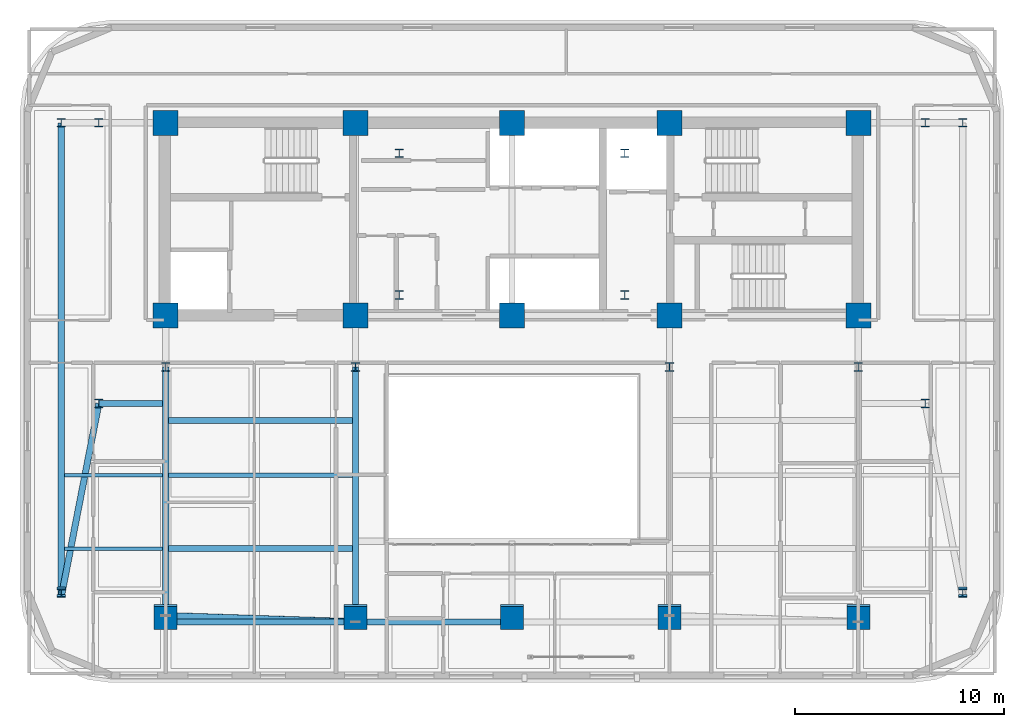
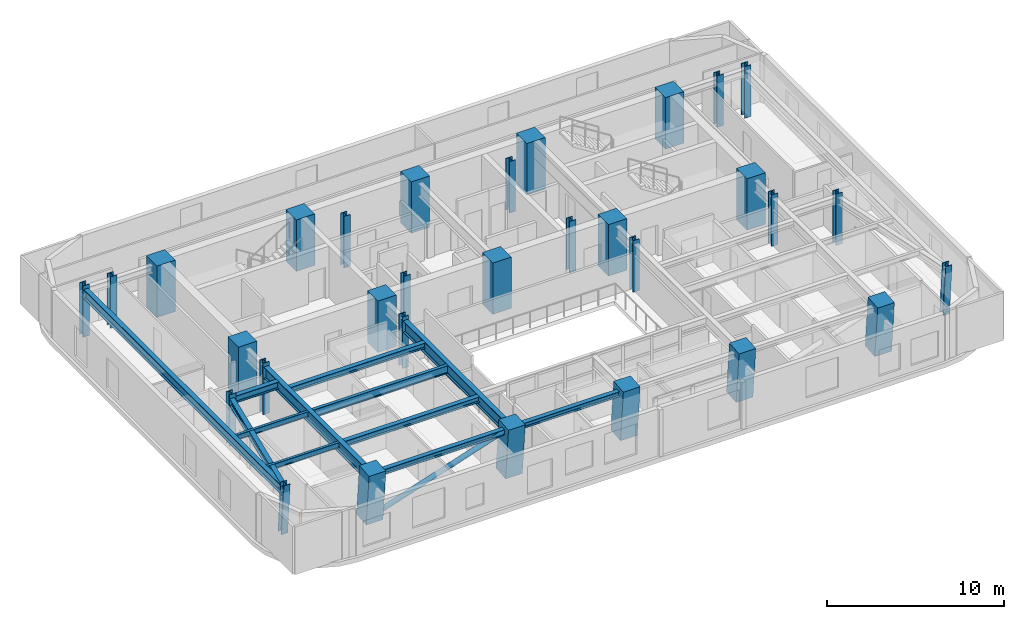
# One storey, part 1 of 13: 31 columns, 12 beams, 1 member.
"""IFC4 building model written with IfcOpenShell, lengths in metres."""

from ifc_helpers import new_model, si_unit, direction, frame, origin, origin_2d, place, context, subcontext, project, spatial, rectangle, hollow_circle, i_section, extrude, material, material_profile, profile_set, type_object, element, save


model = new_model("IFC4")

# Units and contexts
model_context = context("Model", 3, precision=1e-05, world=origin(), true_north=direction((0.0, 1.0)))
body_context = subcontext(model_context, "Body", "Model", "MODEL_VIEW")
ifc_project = project(units=[si_unit("LENGTHUNIT", "METRE"), si_unit("AREAUNIT", "SQUARE_METRE"), si_unit("VOLUMEUNIT", "CUBIC_METRE"), si_unit("PLANEANGLEUNIT", "RADIAN"), si_unit("MASSUNIT", "GRAM", prefix="KILO")], contexts=[model_context])

# Site, building, storey
site_placement = place(None, origin())
site = spatial("IfcSite", under=ifc_project, at=site_placement, CompositionType="ELEMENT")
building_placement = place(site_placement, origin())
building = spatial("IfcBuilding", under=site, at=building_placement, Name="Zarnavel Station Tower", CompositionType="ELEMENT")
storey_placement = place(building_placement, frame((0.0, 0.0, 141.25)))
storey = spatial("IfcBuildingStorey", under=building, at=storey_placement, Name="L38", CompositionType="ELEMENT", Elevation=141.25)

# Columns
ifc_material_1 = material(Name="Steel S355J2", Category="steel")
ifc_material_profile_1 = material_profile(ifc_material_1, i_section(OverallWidth=0.4130859375, OverallDepth=0.4150390625, WebThickness=0.030029296875, FlangeThickness=0.047119140625, FilletRadius=0.014892578125, at=origin_2d()), Name="HD400x347")
ifc_profile_set_1 = profile_set([ifc_material_profile_1], Name="Steel S355J2")
column_type_1 = type_object("IfcColumnType", Name="EC_HD347", PredefinedType="COLUMN", material=ifc_profile_set_1)
column_1_placement = place(storey_placement, frame((7.199951171875, 14.603271484375, 0.0), z_axis=(0.0, -0.079930493943, 0.996800439475), x_axis=(1.0, 0.0, 0.0)))
element("IfcColumn", 1, at=column_1_placement, inside=storey, type_object=column_type_1, Name="L38 Raked Wing Column 1", PredefinedType="COLUMN", context=body_context, shape_type="SweptSolid", body=[
    extrude(i_section(OverallWidth=0.4130859375, OverallDepth=0.4150390625, WebThickness=0.030029296875, FlangeThickness=0.047119140625, FilletRadius=0.014892578125, at=origin_2d()), origin(), (0.0, 0.0, 1.0), 3.5615234375),
])
column_2_placement = place(storey_placement, frame((7.199951171875, 37.050048828125, 0.0), z_axis=(0.0, 0.0, 1.0), x_axis=(1.0, 0.0, 0.0)))
element("IfcColumn", 2, at=column_2_placement, inside=storey, type_object=column_type_1, Name="L38 Outer Wing North Column 1", PredefinedType="COLUMN", context=body_context, shape_type="SweptSolid", body=[
    extrude(i_section(OverallWidth=0.4130859375, OverallDepth=0.4150390625, WebThickness=0.030029296875, FlangeThickness=0.047119140625, FilletRadius=0.014892578125, at=origin_2d()), origin(), (0.0, 0.0, 1.0), 3.550048828125),
])
column_3_placement = place(storey_placement, frame((50.39990234375, 14.603271484375, 0.0), z_axis=(0.0, -0.079930493943, 0.996800439475), x_axis=(1.0, 0.0, 0.0)))
element("IfcColumn", 3, at=column_3_placement, inside=storey, type_object=column_type_1, Name="L38 Raked Wing Column 2", PredefinedType="COLUMN", context=body_context, shape_type="SweptSolid", body=[
    extrude(i_section(OverallWidth=0.4130859375, OverallDepth=0.4150390625, WebThickness=0.030029296875, FlangeThickness=0.047119140625, FilletRadius=0.014892578125, at=origin_2d()), origin(), (0.0, 0.0, 1.0), 3.5615234375),
])
column_4_placement = place(storey_placement, frame((50.39990234375, 37.050048828125, 0.0), z_axis=(0.0, 0.0, 1.0), x_axis=(1.0, 0.0, 0.0)))
element("IfcColumn", 4, at=column_4_placement, inside=storey, type_object=column_type_1, Name="L38 Outer Wing North Column 2", PredefinedType="COLUMN", context=body_context, shape_type="SweptSolid", body=[
    extrude(i_section(OverallWidth=0.4130859375, OverallDepth=0.4150390625, WebThickness=0.030029296875, FlangeThickness=0.047119140625, FilletRadius=0.014892578125, at=origin_2d()), origin(), (0.0, 0.0, 1.0), 3.550048828125),
])
ifc_material_2 = material(Name="Steel S355J2", Category="steel")
ifc_material_profile_2 = material_profile(ifc_material_2, i_section(OverallWidth=0.4130859375, OverallDepth=0.4150390625, WebThickness=0.030029296875, FlangeThickness=0.047119140625, FilletRadius=0.014892578125, at=origin_2d()), Name="HD400x347")
ifc_profile_set_2 = profile_set([ifc_material_profile_2], Name="Steel S355J2")
column_type_2 = type_object("IfcColumnType", Name="IC_HD347", PredefinedType="COLUMN", material=ifc_profile_set_2)
for number, where, z_axis, x_axis, name in (
    (5, (23.39990234375, 28.800048828125, 0.0), (0.0, 0.0, 1.0), (1.0, 0.0, 0.0), "L38 Mast Spine Column 1"),
    (6, (34.199951171875, 28.800048828125, 0.0), (0.0, 0.0, 1.0), (1.0, 0.0, 0.0), "L38 Mast Spine Column 2"),
    (7, (34.199951171875, 35.60009765625, 0.0), (0.0, 0.0, 1.0), (1.0, 0.0, 0.0), "L38 Mast Spine Column 3"),
    (8, (23.39990234375, 35.60009765625, 0.0), (0.0, 0.0, 1.0), (1.0, 0.0, 0.0), "L38 Mast Spine Column 4"),
    (9, (12.199951171875, 25.35009765625, 0.0), (0.0, 0.0, 1.0), (1.0, 0.0, 0.0), "L38 Inner Spine Column 1"),
    (10, (21.300048828125, 25.35009765625, 0.0), (0.0, 0.0, 1.0), (1.0, 0.0, 0.0), "L38 Inner Spine Column 2"),
    (11, (36.35009765625, 25.35009765625, 0.0), (0.0, 0.0, 1.0), (1.0, 0.0, 0.0), "L38 Inner Spine Column 4"),
    (12, (45.39990234375, 25.35009765625, 0.0), (0.0, 0.0, 1.0), (1.0, 0.0, 0.0), "L38 Inner Spine Column 5"),
    (13, (9.0, 23.60009765625, 0.0), (0.0, 0.0, 1.0), (1.0, 0.0, 0.0), "L38 Inner Wing Spine Column 1-1"),
    (14, (9.0, 37.050048828125, 0.0), (0.0, 0.0, 1.0), (1.0, 0.0, 0.0), "L38 Inner Wing Spine Column 1-2"),
    (15, (48.60009765625, 23.60009765625, 0.0), (0.0, 0.0, 1.0), (1.0, 0.0, 0.0), "L38 Inner Wing Spine Column 2-1"),
    (16, (48.60009765625, 37.050048828125, 0.0), (0.0, 0.0, 1.0), (1.0, 0.0, 0.0), "L38 Inner Wing Spine Column 2-2"),
):
    element("IfcColumn", number, at=place(storey_placement, frame(where, z_axis=z_axis, x_axis=x_axis)), inside=storey, type_object=column_type_2, Name=name, PredefinedType="COLUMN", context=body_context, shape_type="SweptSolid", body=[
        extrude(i_section(OverallWidth=0.4130859375, OverallDepth=0.4150390625, WebThickness=0.030029296875, FlangeThickness=0.047119140625, FilletRadius=0.014892578125, at=origin_2d()), origin(), (0.0, 0.0, 1.0), 3.550048828125),
    ])
ifc_material_3 = material(Name="Concrete C50/60", Category="concrete")
ifc_material_profile_3 = material_profile(ifc_material_3, rectangle(XDim=1.199951171875, YDim=1.199951171875, at=origin_2d()), Name="RC1200x1200")
ifc_profile_set_3 = profile_set([ifc_material_profile_3], Name="Concrete C50/60")
column_type_3 = type_object("IfcColumnType", Name="IC_RC1200", PredefinedType="COLUMN", material=ifc_profile_set_3)
for number, where, z_axis, x_axis, name in (
    (17, (12.199951171875, 27.820068359375, 0.0), (0.0, 0.0, 1.0), (1.0, 0.0, 0.0), "L38 Core Spine Column 1-1"),
    (18, (12.199951171875, 37.050048828125, 0.0), (0.0, 0.0, 1.0), (1.0, 0.0, 0.0), "L38 Core Spine Column 1-2"),
    (19, (21.300048828125, 27.820068359375, 0.0), (0.0, 0.0, 1.0), (1.0, 0.0, 0.0), "L38 Core Spine Column 2-1"),
    (20, (21.300048828125, 37.050048828125, 0.0), (0.0, 0.0, 1.0), (1.0, 0.0, 0.0), "L38 Core Spine Column 2-2"),
    (21, (28.800048828125, 27.820068359375, 0.0), (0.0, 0.0, 1.0), (1.0, 0.0, 0.0), "L38 Core Spine Column 3-1"),
    (22, (28.800048828125, 37.050048828125, 0.0), (0.0, 0.0, 1.0), (1.0, 0.0, 0.0), "L38 Core Spine Column 3-2"),
    (23, (36.35009765625, 27.820068359375, 0.0), (0.0, 0.0, 1.0), (1.0, 0.0, 0.0), "L38 Core Spine Column 4-1"),
    (24, (36.35009765625, 37.050048828125, 0.0), (0.0, 0.0, 1.0), (1.0, 0.0, 0.0), "L38 Core Spine Column 4-2"),
    (25, (45.39990234375, 27.820068359375, 0.0), (0.0, 0.0, 1.0), (1.0, 0.0, 0.0), "L38 Core Spine Column 5-1"),
    (26, (45.39990234375, 37.050048828125, 0.0), (0.0, 0.0, 1.0), (1.0, 0.0, 0.0), "L38 Core Spine Column 5-2"),
):
    element("IfcColumn", number, at=place(storey_placement, frame(where, z_axis=z_axis, x_axis=x_axis)), inside=storey, type_object=column_type_3, Name=name, PredefinedType="COLUMN", context=body_context, shape_type="SweptSolid", body=[
        extrude(rectangle(XDim=1.199951171875, YDim=1.199951171875, at=origin_2d()), origin(), (0.0, 0.0, 1.0), 3.550048828125),
    ])
ifc_material_4 = material(Name="Concrete C50/60", Category="concrete")
ifc_material_profile_4 = material_profile(ifc_material_4, rectangle(XDim=1.10009765625, YDim=1.10009765625, at=origin_2d()), Name="RC1100x1100")
ifc_profile_set_4 = profile_set([ifc_material_profile_4], Name="Concrete C50/60")
column_type_4 = type_object("IfcColumnType", Name="MC_RC1100", PredefinedType="COLUMN", material=ifc_profile_set_4)
for number, where, z_axis, x_axis, name in (
    (27, (12.199951171875, 13.427978515625, 0.0), (0.0, -0.0902702026, 0.995917311087), (1.0, 0.0, 0.0), "L38 Raked South Mega-Column 1"),
    (28, (21.300048828125, 13.427978515625, 0.0), (0.0, -0.0902702026, 0.995917311087), (1.0, 0.0, 0.0), "L38 Raked South Mega-Column 2"),
    (29, (28.800048828125, 13.427978515625, 0.0), (0.0, -0.0902702026, 0.995917311087), (1.0, 0.0, 0.0), "L38 Raked South Mega-Column 3"),
    (30, (36.35009765625, 13.427978515625, 0.0), (0.0, -0.0902702026, 0.995917311087), (1.0, 0.0, 0.0), "L38 Raked South Mega-Column 4"),
    (31, (45.39990234375, 13.427978515625, 0.0), (0.0, -0.0902702026, 0.995917311087), (1.0, 0.0, 0.0), "L38 Raked South Mega-Column 5"),
):
    element("IfcColumn", number, at=place(storey_placement, frame(where, z_axis=z_axis, x_axis=x_axis)), inside=storey, type_object=column_type_4, Name=name, PredefinedType="COLUMN", context=body_context, shape_type="SweptSolid", body=[
        extrude(rectangle(XDim=1.10009765625, YDim=1.10009765625, at=origin_2d()), origin(), (0.0, 0.0, 1.0), 3.564697265625),
    ])

# Member
ifc_material_5 = material(Name="Steel S355J2", Category="steel")
ifc_material_profile_5 = material_profile(ifc_material_5, hollow_circle(Radius=0.161865234375, WallThickness=0.012451171875, at=origin_2d()), Name="CHS323.9x12.5")
ifc_profile_set_5 = profile_set([ifc_material_profile_5], Name="Steel S355J2")
member_type = type_object("IfcMemberType", Name="DB_EXT_CHS324", PredefinedType="BRACE", material=ifc_profile_set_5)
member_placement = place(storey_placement, frame((12.199951171875, 13.427978515625, 0.0), z_axis=(0.93997940641, -0.030791298364, 0.339839096442), x_axis=(0.032739857023, 0.999463907183, 0.0)))
element("IfcMember", 32, at=member_placement, inside=storey, type_object=member_type, Name="L38 Persian Exterior Diagonal Frame Brace 1", PredefinedType="BRACE", context=body_context, shape_type="SweptSolid", body=[
    extrude(hollow_circle(Radius=0.161865234375, WallThickness=0.012451171875, at=origin_2d()), origin(), (0.0, 0.0, 1.0), 9.68115234375),
])

# Beams
ifc_material_6 = material(Name="Steel S355J2", Category="steel")
ifc_material_profile_6 = material_profile(ifc_material_6, i_section(OverallWidth=0.300048828125, OverallDepth=0.360107421875, WebThickness=0.012451171875, FlangeThickness=0.0224609375, FilletRadius=0.027099609375, at=origin_2d()), Name="HEB360")
ifc_profile_set_6 = profile_set([ifc_material_profile_6], Name="Steel S355J2")
beam_type_1 = type_object("IfcBeamType", Name="EB_HEB360", PredefinedType="SPANDREL", material=ifc_profile_set_6)
beam_1_placement = place(storey_placement, frame((12.199951171875, 13.1298828125, 3.110107421875), z_axis=(1.0, 0.0, 0.0), x_axis=(0.0, 1.0, 0.0)))
element("IfcBeam", 33, at=beam_1_placement, inside=storey, type_object=beam_type_1, Name="L38 South Raked Spandrel 1", PredefinedType="SPANDREL", context=body_context, shape_type="SweptSolid", body=[
    extrude(i_section(OverallWidth=0.300048828125, OverallDepth=0.360107421875, WebThickness=0.012451171875, FlangeThickness=0.0224609375, FilletRadius=0.027099609375, at=origin_2d()), origin(), (0.0, 0.0, 1.0), 9.10009765625),
])
beam_2_placement = place(storey_placement, frame((21.300048828125, 13.1298828125, 3.110107421875), z_axis=(1.0, 0.0, 0.0), x_axis=(0.0, 1.0, 0.0)))
element("IfcBeam", 34, at=beam_2_placement, inside=storey, type_object=beam_type_1, Name="L38 South Raked Spandrel 2", PredefinedType="SPANDREL", context=body_context, shape_type="SweptSolid", body=[
    extrude(i_section(OverallWidth=0.300048828125, OverallDepth=0.360107421875, WebThickness=0.012451171875, FlangeThickness=0.0224609375, FilletRadius=0.027099609375, at=origin_2d()), origin(), (0.0, 0.0, 1.0), 7.5),
])
ifc_material_7 = material(Name="Steel S355J2", Category="steel")
ifc_material_profile_7 = material_profile(ifc_material_7, i_section(OverallWidth=0.300048828125, OverallDepth=0.389892578125, WebThickness=0.010986328125, FlangeThickness=0.01904296875, FilletRadius=0.027099609375, at=origin_2d()), Name="HEA400")
ifc_profile_set_7 = profile_set([ifc_material_profile_7], Name="Steel S355J2")
beam_type_2 = type_object("IfcBeamType", Name="FB_HEA400", PredefinedType="BEAM", material=ifc_profile_set_7)
for number, where, z_axis, x_axis, name in (
    (35, (12.344970703125, 16.647216796875, 3.094970703125), (1.0, 0.0, 0.0), (0.0, 1.0, 0.0), "L38 West Bay Beam 1"),
    (36, (12.344970703125, 22.782470703125, 3.094970703125), (1.0, 0.0, 0.0), (0.0, 1.0, 0.0), "L38 West Bay Beam 3"),
):
    element("IfcBeam", number, at=place(storey_placement, frame(where, z_axis=z_axis, x_axis=x_axis)), inside=storey, type_object=beam_type_2, Name=name, PredefinedType="BEAM", context=body_context, shape_type="SweptSolid", body=[
        extrude(i_section(OverallWidth=0.300048828125, OverallDepth=0.389892578125, WebThickness=0.010986328125, FlangeThickness=0.01904296875, FilletRadius=0.027099609375, at=origin_2d()), origin(), (0.0, 0.0, 1.0), 8.81005859375),
    ])
ifc_material_8 = material(Name="Steel S355J2", Category="steel")
ifc_material_profile_8 = material_profile(ifc_material_8, i_section(OverallWidth=0.2099609375, OverallDepth=0.550048828125, WebThickness=0.010986328125, FlangeThickness=0.01708984375, FilletRadius=0.02392578125, at=origin_2d()), Name="IPE550")
ifc_profile_set_8 = profile_set([ifc_material_profile_8], Name="Steel S355J2")
beam_type_3 = type_object("IfcBeamType", Name="FB_IPE550", PredefinedType="BEAM", material=ifc_profile_set_8)
beam_3_placement = place(storey_placement, frame((12.344970703125, 20.164794921875, 3.014892578125), z_axis=(1.0, 0.0, 0.0), x_axis=(0.0, 1.0, 0.0)))
element("IfcBeam", 37, at=beam_3_placement, inside=storey, type_object=beam_type_3, Name="L38 West Bay Beam 2", PredefinedType="BEAM", context=body_context, shape_type="SweptSolid", body=[
    extrude(i_section(OverallWidth=0.2099609375, OverallDepth=0.550048828125, WebThickness=0.010986328125, FlangeThickness=0.01708984375, FilletRadius=0.02392578125, at=origin_2d()), origin(), (0.0, 0.0, 1.0), 8.81005859375),
])
ifc_material_9 = material(Name="Steel S355J2", Category="steel")
ifc_material_profile_9 = material_profile(ifc_material_9, i_section(OverallWidth=0.300048828125, OverallDepth=0.5, WebThickness=0.014404296875, FlangeThickness=0.028076171875, FilletRadius=0.027099609375, at=origin_2d()), Name="HEB500")
ifc_profile_set_9 = profile_set([ifc_material_profile_9], Name="Steel S355J2")
beam_type_4 = type_object("IfcBeamType", Name="FG_HEB500", PredefinedType="USERDEFINED", material=ifc_profile_set_9)
beam_4_placement = place(storey_placement, frame((7.199951171875, 14.339599609375, 3.0400390625), z_axis=(0.190808010215, 0.981627374943, 0.0), x_axis=(-0.981627374943, 0.190808010215, 0.0)))
element("IfcBeam", 38, at=beam_4_placement, inside=storey, type_object=beam_type_4, Name="L38 West Wing South Tie 1", ObjectType="GIRDER", PredefinedType="USERDEFINED", context=body_context, shape_type="SweptSolid", body=[
    extrude(i_section(OverallWidth=0.300048828125, OverallDepth=0.5, WebThickness=0.014404296875, FlangeThickness=0.028076171875, FilletRadius=0.027099609375, at=origin_2d()), origin(), (0.0, 0.0, 1.0), 9.433837890625),
])
beam_5_placement = place(storey_placement, frame((9.0, 23.60009765625, 3.0400390625), z_axis=(1.0, 0.0, 0.0), x_axis=(0.0, 1.0, 0.0)))
element("IfcBeam", 39, at=beam_5_placement, inside=storey, type_object=beam_type_4, Name="L38 West Wing South Tie 2", ObjectType="GIRDER", PredefinedType="USERDEFINED", context=body_context, shape_type="SweptSolid", body=[
    extrude(i_section(OverallWidth=0.300048828125, OverallDepth=0.5, WebThickness=0.014404296875, FlangeThickness=0.028076171875, FilletRadius=0.027099609375, at=origin_2d()), origin(), (0.0, 0.0, 1.0), 3.054931640625),
])
ifc_material_10 = material(Name="Steel S355J2", Category="steel")
ifc_material_profile_10 = material_profile(ifc_material_10, i_section(OverallWidth=0.300048828125, OverallDepth=0.64990234375, WebThickness=0.01611328125, FlangeThickness=0.031005859375, FilletRadius=0.027099609375, at=origin_2d()), Name="HEB650")
ifc_profile_set_10 = profile_set([ifc_material_profile_10], Name="Steel S355J2")
beam_type_5 = type_object("IfcBeamType", Name="FG_HEB650", PredefinedType="USERDEFINED", material=ifc_profile_set_10)
beam_6_placement = place(storey_placement, frame((7.199951171875, 14.339599609375, 2.965087890625), z_axis=(0.0, 1.0, 0.0), x_axis=(-1.0, 0.0, 0.0)))
element("IfcBeam", 40, at=beam_6_placement, inside=storey, type_object=beam_type_5, Name="L38 Wing NS Girder 1", ObjectType="GIRDER", PredefinedType="USERDEFINED", context=body_context, shape_type="SweptSolid", body=[
    extrude(i_section(OverallWidth=0.300048828125, OverallDepth=0.64990234375, WebThickness=0.01611328125, FlangeThickness=0.031005859375, FilletRadius=0.027099609375, at=origin_2d()), origin(), (0.0, 0.0, 1.0), 22.71044921875),
])
ifc_material_11 = material(Name="Steel S460M", Category="steel")
ifc_material_profile_11 = material_profile(ifc_material_11, i_section(OverallWidth=0.302978515625, OverallDepth=0.81396484375, WebThickness=0.02099609375, FlangeThickness=0.0400390625, FilletRadius=0.030029296875, at=origin_2d()), Name="HEM800")
ifc_profile_set_11 = profile_set([ifc_material_profile_11], Name="Steel S460M")
beam_type_6 = type_object("IfcBeamType", Name="FG_HEM800", PredefinedType="USERDEFINED", material=ifc_profile_set_11)
for number, where, z_axis, x_axis, name in (
    (41, (12.199951171875, 13.1298828125, 2.883056640625), (0.0, 1.0, 0.0), (-1.0, 0.0, 0.0), "L38 South-Zone NS Girder 1"),
    (42, (21.300048828125, 13.1298828125, 2.883056640625), (0.0, 1.0, 0.0), (-1.0, 0.0, 0.0), "L38 South-Zone NS Girder 2"),
):
    element("IfcBeam", number, at=place(storey_placement, frame(where, z_axis=z_axis, x_axis=x_axis)), inside=storey, type_object=beam_type_6, Name=name, ObjectType="GIRDER", PredefinedType="USERDEFINED", context=body_context, shape_type="SweptSolid", body=[
        extrude(i_section(OverallWidth=0.302978515625, OverallDepth=0.81396484375, WebThickness=0.02099609375, FlangeThickness=0.0400390625, FilletRadius=0.030029296875, at=origin_2d()), origin(), (0.0, 0.0, 1.0), 12.22021484375),
    ])
ifc_material_12 = material(Name="Steel S355J2", Category="steel")
ifc_material_profile_12 = material_profile(ifc_material_12, i_section(OverallWidth=0.169921875, OverallDepth=0.360107421875, WebThickness=0.008056640625, FlangeThickness=0.0126953125, FilletRadius=0.01806640625, at=origin_2d()), Name="IPE360")
ifc_profile_set_12 = profile_set([ifc_material_profile_12], Name="Steel S355J2")
beam_type_7 = type_object("IfcBeamType", Name="FJ_IPE360", PredefinedType="JOIST", material=ifc_profile_set_12)
for number, where, z_axis, x_axis, name in (
    (43, (7.344970703125, 16.647216796875, 3.110107421875), (1.0, 0.0, 0.0), (0.0, 1.0, 0.0), "L38 West Wing Joist 1"),
    (44, (7.344970703125, 20.164794921875, 3.110107421875), (1.0, 0.0, 0.0), (0.0, 1.0, 0.0), "L38 West Wing Joist 2"),
):
    element("IfcBeam", number, at=place(storey_placement, frame(where, z_axis=z_axis, x_axis=x_axis)), inside=storey, type_object=beam_type_7, Name=name, PredefinedType="JOIST", context=body_context, shape_type="SweptSolid", body=[
        extrude(i_section(OverallWidth=0.169921875, OverallDepth=0.360107421875, WebThickness=0.008056640625, FlangeThickness=0.0126953125, FilletRadius=0.01806640625, at=origin_2d()), origin(), (0.0, 0.0, 1.0), 4.7099609375),
    ])

save(model, "model.ifc")
